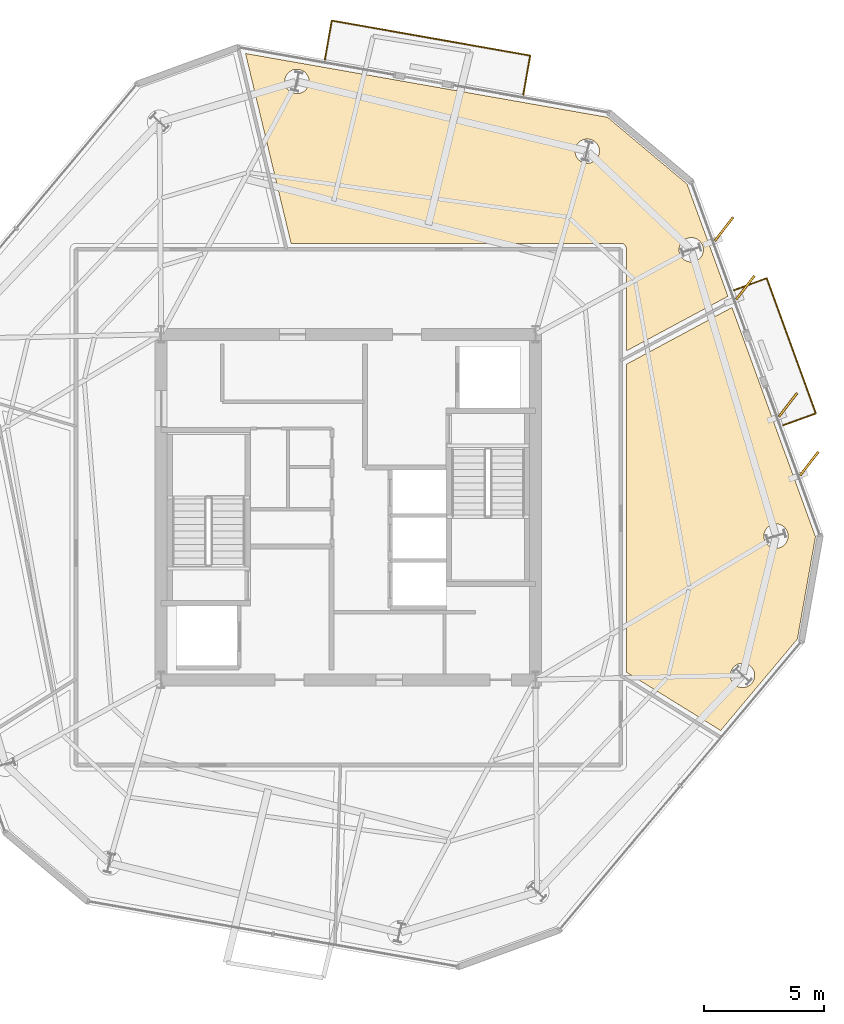
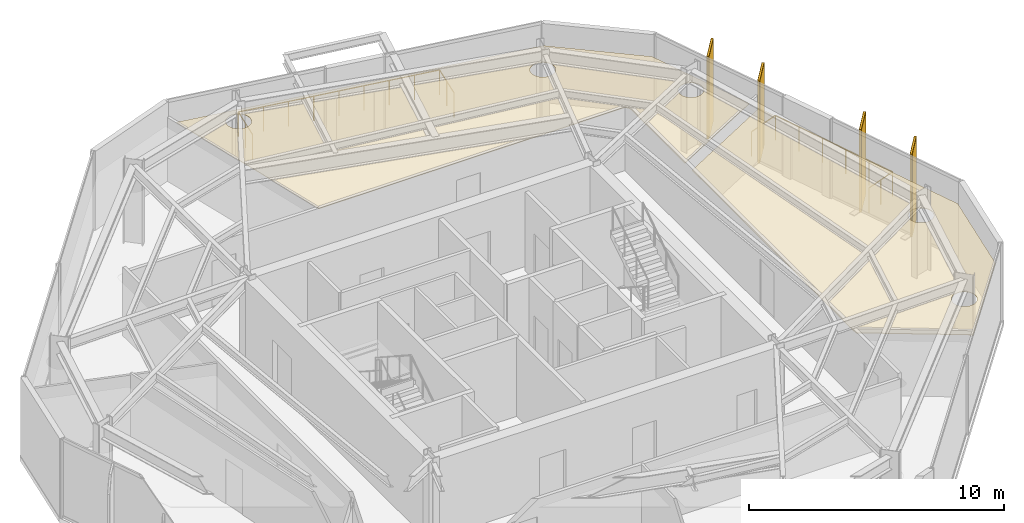
# One storey, part 11 of 11: 6 coverings, 4 shading devices, 2 railings.
"""IFC4 building model written with IfcOpenShell, lengths in metres."""

import ifcopenshell
import ifcopenshell.guid

model = None  # the IFC model being written
_history = None  # IfcOwnerHistory: only IFC2X3 demands one
_inside = {}  # id of a spatial element -> (the spatial element, [elements in it])
_under = {}  # id of a project, library or spatial element -> (it, [spatial elements below it])
_declared = {}  # id of a project -> (the project, [libraries it declares])
_typed = {}  # id of a type object -> (the type object, [elements of that type])
_made_of = {}  # id of a material, layer set ... -> (it, [elements and type objects made of it])


def new_model(schema):
    """Start an empty IFC model of exactly this schema.

    Asked for "IFC4X3", IfcOpenShell would pick the latest addendum, in which some entities
    have other attributes; the version numbers below select the first issue.
    IFC2X3 requires an IfcOwnerHistory on every rooted entity: one is made here for all.
    """
    global model, _history
    if schema == "IFC4X3":
        model = ifcopenshell.file(schema_version=(4, 3, 0, 0))
    else:
        model = ifcopenshell.file(schema=schema)
    _inside.clear()
    _under.clear()
    _declared.clear()
    _typed.clear()
    _made_of.clear()
    _history = None
    if model.schema == "IFC2X3":
        org = make("IfcOrganization", Name="unknown")
        user = make(
            "IfcPersonAndOrganization",
            ThePerson=make("IfcPerson", FamilyName="unknown"),
            TheOrganization=org,
        )
        app = make(
            "IfcApplication",
            ApplicationDeveloper=org,
            Version="unknown",
            ApplicationFullName="unknown",
            ApplicationIdentifier="unknown",
        )
        _history = make(
            "IfcOwnerHistory",
            OwningUser=user,
            OwningApplication=app,
            ChangeAction="ADDED",
            CreationDate=0,
        )
    return model


def make(cls, **values):
    """One entity of the class cls with the attributes given. An attribute that is None is left unset."""
    return model.create_entity(
        cls, **{name: value for name, value in values.items() if value is not None}
    )


def rooted(cls, **values):
    """An entity with a GlobalId (a new one), such as an element, a storey or a relation."""
    return make(cls, GlobalId=ifcopenshell.guid.new(), OwnerHistory=_history, **values)


def si_unit(unit_type, name, prefix=None):
    """IfcSIUnit, for example si_unit("LENGTHUNIT", "METRE", prefix="MILLI")."""
    return make("IfcSIUnit", UnitType=unit_type, Prefix=prefix, Name=name)


def assignment(units):
    """IfcUnitAssignment: the units of a project."""
    return None if units is None else make("IfcUnitAssignment", Units=units)


def point(xyz):
    """IfcCartesianPoint."""
    return None if xyz is None else make("IfcCartesianPoint", Coordinates=xyz)


def direction(xyz):
    """IfcDirection."""
    return None if xyz is None else make("IfcDirection", DirectionRatios=xyz)


def frame(location, z_axis=None, x_axis=None):
    """IfcAxis2Placement3D, a coordinate frame: its origin and axes. An axis left out is left unset."""
    return make(
        "IfcAxis2Placement3D",
        Location=point(location),
        Axis=direction(z_axis),
        RefDirection=direction(x_axis),
    )


def frame_2d(location, x_axis=None):
    """IfcAxis2Placement2D, a coordinate frame in the plane: its origin and x axis."""
    return make(
        "IfcAxis2Placement2D", Location=point(location), RefDirection=direction(x_axis)
    )


def origin():
    """The frame at (0, 0, 0) with its axes left unset."""
    return frame((0.0, 0.0, 0.0))


def origin_2d():
    """The frame at (0, 0) in the plane with its x axis left unset."""
    return frame_2d((0.0, 0.0))


def place(relative_to, where):
    """IfcLocalPlacement: puts the frame where relative to a parent placement (None: the world)."""
    return make(
        "IfcLocalPlacement", PlacementRelTo=relative_to, RelativePlacement=where
    )


def context(
    kind, dimensions, precision=None, world=None, true_north=None, identifier=None
):
    """IfcGeometricRepresentationContext, for example the 3D "Model" context."""
    return make(
        "IfcGeometricRepresentationContext",
        ContextIdentifier=identifier,
        ContextType=kind,
        CoordinateSpaceDimension=dimensions,
        Precision=precision,
        WorldCoordinateSystem=world,
        TrueNorth=true_north,
    )


def subcontext(parent, identifier, kind, view, scale=None):
    """IfcGeometricRepresentationSubContext, for example "Body" below "Model"."""
    return make(
        "IfcGeometricRepresentationSubContext",
        ContextIdentifier=identifier,
        ContextType=kind,
        ParentContext=parent,
        TargetScale=scale,
        TargetView=view,
    )


def project(units=None, contexts=None):
    """IfcProject with its units and contexts."""
    return rooted(
        "IfcProject",
        Name="project",
        RepresentationContexts=contexts,
        UnitsInContext=assignment(units),
    )


def spatial(cls, under=None, at=None, **own):
    """A site, building, storey or space (cls), placed at a placement, below another one or the project."""
    s = rooted(cls, ObjectPlacement=at, **own)
    if under is not None:
        _under.setdefault(under.id(), (under, []))[1].append(s)
    return s


def polyline(points):
    """IfcPolyline through the points."""
    return make("IfcPolyline", Points=[point(p) for p in points])


def profile(cls, at=None, kind="AREA", **sizes):
    """A parametric profile (cls). Its sizes go by their IFC names, for example OverallWidth=200.0."""
    return make(cls, ProfileType=kind, Position=at, **sizes)


def rectangle(**sizes):
    """IfcRectangleProfileDef."""
    return profile("IfcRectangleProfileDef", **sizes)


def circle(**sizes):
    """IfcCircleProfileDef."""
    return profile("IfcCircleProfileDef", **sizes)


def outline(outer, holes=None, kind="AREA"):
    """IfcArbitraryClosedProfileDef: a profile drawn as a closed curve; with holes, ...WithVoids."""
    if holes is None:
        return make("IfcArbitraryClosedProfileDef", ProfileType=kind, OuterCurve=outer)
    return make(
        "IfcArbitraryProfileDefWithVoids",
        ProfileType=kind,
        OuterCurve=outer,
        InnerCurves=holes,
    )


def extrude(swept, where, along, depth):
    """IfcExtrudedAreaSolid: the profile swept, set in the frame where, extruded along a direction by depth."""
    return make(
        "IfcExtrudedAreaSolid",
        SweptArea=swept,
        Position=where,
        ExtrudedDirection=direction(along),
        Depth=depth,
    )


def shape(context_of_items, identifier, shape_type, items):
    """IfcShapeRepresentation: the items that make up one representation, for example the "Body"."""
    return make(
        "IfcShapeRepresentation",
        ContextOfItems=context_of_items,
        RepresentationIdentifier=identifier,
        RepresentationType=shape_type,
        Items=items,
    )


def material(Name=None, Category=None):
    """IfcMaterial."""
    return make("IfcMaterial", Name=Name, Category=Category)


def layer(
    of_material, thickness, ventilated=None, Name=None, Category=None, Priority=None
):
    """IfcMaterialLayer: one layer of a wall or slab, of a material (None: an air gap)."""
    return make(
        "IfcMaterialLayer",
        Material=of_material,
        LayerThickness=thickness,
        IsVentilated=ventilated,
        Name=Name,
        Category=Category,
        Priority=Priority,
    )


def layer_set(layers, Name=None):
    """IfcMaterialLayerSet."""
    return make("IfcMaterialLayerSet", MaterialLayers=layers, LayerSetName=Name)


def made_of(thing, what):
    """Note that an element or type object is made of a material, layer set ...; save() writes the relation."""
    if what is not None:
        _made_of.setdefault(what.id(), (what, []))[1].append(thing)
    return thing


def type_object(cls, material=None, **own):
    """A type object (cls), such as IfcWallType, which elements share."""
    return made_of(rooted(cls, **own), material)


def element(
    cls,
    number,
    at=None,
    inside=None,
    cuts=None,
    type_object=None,
    material=None,
    context=None,
    identifier="Body",
    shape_type=None,
    held_by="IfcProductDefinitionShape",
    body=None,
    shapes=None,
    **own,
):
    """One element of the class cls, such as IfcWall. Its Tag is "e" and its number.

    at: its placement. inside: the storey or other place that contains it. cuts: it is an
    opening in that element (IfcRelVoidsElement). A single representation is given by context,
    identifier, shape_type and body (its items); several are given by shapes. held_by: the class
    of the entity that holds the representations. save() writes the other relations.
    """
    e = rooted(cls, Tag="e%d" % number, ObjectPlacement=at, **own)
    if body is not None:
        shapes = [shape(context, identifier, shape_type, body)]
    if shapes is not None:
        e.Representation = make(held_by, Representations=shapes)
    if inside is not None:
        _inside.setdefault(inside.id(), (inside, []))[1].append(e)
    if cuts is not None:
        rooted(
            "IfcRelVoidsElement", RelatingBuildingElement=cuts, RelatedOpeningElement=e
        )
    if type_object is not None:
        _typed.setdefault(type_object.id(), (type_object, []))[1].append(e)
    return made_of(e, material)


def aggregate(whole, parts):
    """IfcRelAggregates: a whole, such as a stair, and the parts it consists of."""
    return rooted("IfcRelAggregates", RelatingObject=whole, RelatedObjects=parts)


def save(model, path):
    """Write the relations noted so far, then the file.

    IfcRelAggregates (storeys below a building ...), IfcRelContainedInSpatialStructure (elements
    in a storey), IfcRelDefinesByType, IfcRelAssociatesMaterial and IfcRelDeclares: one each for
    every whole, place, type object, material and project.
    """
    for whole, parts in _under.values():
        aggregate(whole, parts)
    for where, things in _inside.values():
        rooted(
            "IfcRelContainedInSpatialStructure",
            RelatedElements=things,
            RelatingStructure=where,
        )
    for kind, things in _typed.values():
        rooted("IfcRelDefinesByType", RelatedObjects=things, RelatingType=kind)
    for what, things in _made_of.values():
        rooted("IfcRelAssociatesMaterial", RelatedObjects=things, RelatingMaterial=what)
    for by, libraries in _declared.values():
        rooted("IfcRelDeclares", RelatingContext=by, RelatedDefinitions=libraries)
    model.write(path)


model = new_model("IFC4")

# Units and contexts
model_context = context("Model", 3, precision=1e-05, world=origin(), true_north=direction((0.0, 1.0)))
body_context = subcontext(model_context, "Body", "Model", "MODEL_VIEW")
ifc_project = project(units=[si_unit("LENGTHUNIT", "METRE"), si_unit("AREAUNIT", "SQUARE_METRE"), si_unit("VOLUMEUNIT", "CUBIC_METRE"), si_unit("PLANEANGLEUNIT", "RADIAN"), si_unit("MASSUNIT", "GRAM", prefix="KILO")], contexts=[model_context])

# Site, building, storey
site_placement = place(None, origin())
site = spatial("IfcSite", under=ifc_project, at=site_placement, CompositionType="ELEMENT")
building_placement = place(site_placement, origin())
building = spatial("IfcBuilding", under=site, at=building_placement, Name="Kranzbogen Civic Tower", CompositionType="ELEMENT")
storey_placement = place(building_placement, frame((0.0, 0.0, 224.800048828125)))
storey = spatial("IfcBuildingStorey", under=building, at=storey_placement, Name="L54", CompositionType="ELEMENT", Elevation=224.800048828125)

# Coverings
ifc_material_1 = material(Name="Pale Anodised Aluminium", Category="aluminium")
ifc_layer_1 = layer(ifc_material_1, 0.02490234375, Name="Pale Anodised Aluminium")
ifc_layer_set_1 = layer_set([ifc_layer_1], Name="Pale Anodised Aluminium")
covering_type_1 = type_object("IfcCoveringType", Name="Anodised Aluminium Vertical Fin Cladding 25 mm", PredefinedType="CLADDING", material=ifc_layer_set_1)
for number, where, z_axis, x_axis, name in (
    (1, (44.217041015625, 26.81494140625, -0.14013671875), (0.0, 0.0, 1.0), (0.612644994633, 0.790358216602, 0.0), "L54 vertical fin pale-metal cladding F6-1"),
    (2, (43.327880859375, 29.258056640625, -0.14013671875), (0.0, 0.0, 1.0), (0.612644994633, 0.790358216602, 0.0), "L54 vertical fin pale-metal cladding F6-2"),
    (3, (41.549072265625, 34.14501953125, -0.14013671875), (0.0, 0.0, 1.0), (0.612644994633, 0.790358216602, 0.0), "L54 vertical fin pale-metal cladding F6-4"),
    (4, (40.659912109375, 36.587890625, -0.14013671875), (0.0, 0.0, 1.0), (0.612644994633, 0.790358216602, 0.0), "L54 vertical fin pale-metal cladding F6-5"),
):
    element("IfcCovering", number, at=place(storey_placement, frame(where, z_axis=z_axis, x_axis=x_axis)), inside=storey, type_object=covering_type_1, Name=name, PredefinedType="CLADDING", context=body_context, shape_type="SweptSolid", body=[
        extrude(rectangle(XDim=1.25, YDim=0.10009765625, at=origin_2d()), origin(), (0.0, 0.0, 1.0), 3.9599609375),
    ])

# Shading devices
ifc_material_2 = material(Name="Anodised Bronze Aluminium", Category="aluminium")
shading_device_type = type_object("IfcShadingDeviceType", Name="Anodised Bronze Vertical Facade Fin 1250x80", PredefinedType="USERDEFINED", material=ifc_material_2)
for number, where, z_axis, x_axis, name in (
    (5, (44.217041015625, 26.81494140625, -0.14013671875), (0.0, 0.0, 1.0), (0.612644994633, 0.790358216602, 0.0), "L54 vertical exterior shading fin F6-1"),
    (6, (43.327880859375, 29.258056640625, -0.14013671875), (0.0, 0.0, 1.0), (0.612644994633, 0.790358216602, 0.0), "L54 vertical exterior shading fin F6-2"),
    (7, (41.549072265625, 34.14501953125, -0.14013671875), (0.0, 0.0, 1.0), (0.612644994633, 0.790358216602, 0.0), "L54 vertical exterior shading fin F6-4"),
    (8, (40.659912109375, 36.587890625, -0.14013671875), (0.0, 0.0, 1.0), (0.612644994633, 0.790358216602, 0.0), "L54 vertical exterior shading fin F6-5"),
):
    element("IfcShadingDevice", number, at=place(storey_placement, frame(where, z_axis=z_axis, x_axis=x_axis)), inside=storey, type_object=shading_device_type, Name=name, ObjectType="FIN", PredefinedType="USERDEFINED", context=body_context, shape_type="SweptSolid", body=[
        extrude(rectangle(XDim=1.25, YDim=0.080078125, at=origin_2d()), origin(), (0.0, 0.0, 1.0), 3.9599609375),
    ])

# Railings
railing_type = type_object("IfcRailingType", Name="Cantilevered Balcony Glass and Bronze Balustrade 1200", PredefinedType="BALUSTRADE", material=ifc_material_2)
railing_1_placement = place(storey_placement, frame((43.1279296875, 28.406005859375, 0.0)))
element("IfcRailing", 9, at=railing_1_placement, inside=storey, type_object=railing_type, Name="L54 exterior terrace balustrade L54-TB2", PredefinedType="BALUSTRADE", context=body_context, shape_type="SweptSolid", body=[
    extrude(circle(Radius=0.02392578125, at=origin_2d()), frame((0.0, 0.0, 1.17578125), z_axis=(0.939695099279, 0.342013333644, 0.0), x_axis=(-0.342013333644, 0.939695099279, 0.0)), (0.0, 0.0, 1.0), 1.450439453125),
    extrude(circle(Radius=0.02392578125, at=origin_2d()), frame((1.363037109375, 0.49609375, 1.17578125), z_axis=(-0.342014228241, 0.939694773679, 0.0), x_axis=(-0.939694773679, -0.342014228241, 0.0)), (0.0, 0.0, 1.0), 5.999755859375),
    extrude(circle(Radius=0.02392578125, at=origin_2d()), frame((-0.68896484375, 6.134033203125, 1.17578125), z_axis=(-0.939695099279, -0.342013333644, 0.0), x_axis=(0.342013333644, -0.939695099279, 0.0)), (0.0, 0.0, 1.0), 1.450439453125),
    extrude(circle(Radius=0.02099609375, at=origin_2d()), origin(), (0.0, 0.0, 1.0), 1.15185546875),
    extrude(circle(Radius=0.02099609375, at=origin_2d()), frame((0.681640625, 0.248046875, 0.0)), (0.0, 0.0, 1.0), 1.15185546875),
    extrude(circle(Radius=0.02099609375, at=origin_2d()), frame((1.363037109375, 0.49609375, 0.0)), (0.0, 0.0, 1.0), 1.15185546875),
    extrude(circle(Radius=0.02099609375, at=origin_2d()), frame((0.95263671875, 1.623779296875, 0.0)), (0.0, 0.0, 1.0), 1.15185546875),
    extrude(circle(Radius=0.02099609375, at=origin_2d()), frame((0.542236328125, 2.751220703125, 0.0)), (0.0, 0.0, 1.0), 1.15185546875),
    extrude(circle(Radius=0.02099609375, at=origin_2d()), frame((0.1318359375, 3.87890625, 0.0)), (0.0, 0.0, 1.0), 1.15185546875),
    extrude(circle(Radius=0.02099609375, at=origin_2d()), frame((-0.278564453125, 5.00634765625, 0.0)), (0.0, 0.0, 1.0), 1.15185546875),
    extrude(circle(Radius=0.02099609375, at=origin_2d()), frame((-0.68896484375, 6.134033203125, 0.0)), (0.0, 0.0, 1.0), 1.15185546875),
    extrude(circle(Radius=0.02099609375, at=origin_2d()), frame((-1.37060546875, 5.885986328125, 0.0)), (0.0, 0.0, 1.0), 1.15185546875),
    extrude(circle(Radius=0.02099609375, at=origin_2d()), frame((-2.052001953125, 5.637939453125, 0.0)), (0.0, 0.0, 1.0), 1.15185546875),
])
railing_2_placement = place(storey_placement, frame((32.297119140625, 42.194091796875, 0.0)))
element("IfcRailing", 10, at=railing_2_placement, inside=storey, type_object=railing_type, Name="L54 exterior terrace balustrade L54-ST", PredefinedType="BALUSTRADE", context=body_context, shape_type="SweptSolid", body=[
    extrude(circle(Radius=0.02392578125, at=origin_2d()), frame((0.0, 0.0, 1.17578125), z_axis=(0.173844415377, 0.984773130849, 0.0), x_axis=(-0.984773130849, 0.173844415377, 0.0)), (0.0, 0.0, 1.0), 1.650146484375),
    extrude(circle(Radius=0.02392578125, at=origin_2d()), frame((0.286865234375, 1.625, 1.17578125), z_axis=(-0.984802862545, 0.173675910599, 0.0), x_axis=(-0.173675910599, -0.984802862545, 0.0)), (0.0, 0.0, 1.0), 8.400634765625),
    extrude(circle(Radius=0.02392578125, at=origin_2d()), frame((-7.986083984375, 3.083984375, 1.17578125), z_axis=(-0.173987891125, -0.984747791946, 0.0), x_axis=(0.984747791946, -0.173987891125, 0.0)), (0.0, 0.0, 1.0), 1.650146484375),
    extrude(circle(Radius=0.02099609375, at=origin_2d()), origin(), (0.0, 0.0, 1.0), 1.15185546875),
    extrude(circle(Radius=0.02099609375, at=origin_2d()), frame((0.1435546875, 0.8125, 0.0)), (0.0, 0.0, 1.0), 1.15185546875),
    extrude(circle(Radius=0.02099609375, at=origin_2d()), frame((0.286865234375, 1.625, 0.0)), (0.0, 0.0, 1.0), 1.15185546875),
    extrude(circle(Radius=0.02099609375, at=origin_2d()), frame((-0.747314453125, 1.807373046875, 0.0)), (0.0, 0.0, 1.0), 1.15185546875),
    extrude(circle(Radius=0.02099609375, at=origin_2d()), frame((-1.78125, 1.98974609375, 0.0)), (0.0, 0.0, 1.0), 1.15185546875),
    extrude(circle(Radius=0.02099609375, at=origin_2d()), frame((-2.8154296875, 2.172119140625, 0.0)), (0.0, 0.0, 1.0), 1.15185546875),
    extrude(circle(Radius=0.02099609375, at=origin_2d()), frame((-3.849609375, 2.3544921875, 0.0)), (0.0, 0.0, 1.0), 1.15185546875),
    extrude(circle(Radius=0.02099609375, at=origin_2d()), frame((-4.8837890625, 2.536865234375, 0.0)), (0.0, 0.0, 1.0), 1.15185546875),
    extrude(circle(Radius=0.02099609375, at=origin_2d()), frame((-5.91796875, 2.71923828125, 0.0)), (0.0, 0.0, 1.0), 1.15185546875),
    extrude(circle(Radius=0.02099609375, at=origin_2d()), frame((-6.951904296875, 2.901611328125, 0.0)), (0.0, 0.0, 1.0), 1.15185546875),
    extrude(circle(Radius=0.02099609375, at=origin_2d()), frame((-7.986083984375, 3.083984375, 0.0)), (0.0, 0.0, 1.0), 1.15185546875),
    extrude(circle(Radius=0.02099609375, at=origin_2d()), frame((-8.129638671875, 2.271484375, 0.0)), (0.0, 0.0, 1.0), 1.15185546875),
    extrude(circle(Radius=0.02099609375, at=origin_2d()), frame((-8.273193359375, 1.458984375, 0.0)), (0.0, 0.0, 1.0), 1.15185546875),
])

# Coverings
ifc_material_3 = material(Name="Perforated Acoustic Gypsum Ceiling")
ifc_layer_2 = layer(ifc_material_3, 0.02490234375, Name="Perforated Acoustic Gypsum Ceiling")
ifc_layer_set_2 = layer_set([ifc_layer_2], Name="Perforated Acoustic Gypsum Ceiling")
covering_type_2 = type_object("IfcCoveringType", Name="Perforated Acoustic Mineral Ceiling Tile 25 mm", PredefinedType="CEILING", material=ifc_layer_set_2)
covering_1_placement = place(storey_placement, frame((0.0, 0.0, 2.75)))
element("IfcCovering", 11, at=covering_1_placement, inside=storey, type_object=covering_type_2, Name="L54 Visitor Concierge Foyer acoustic ceiling", PredefinedType="CEILING", context=body_context, shape_type="SweptSolid", body=[
    extrude(outline(polyline([(43.720947265625, 19.501953125), (40.52001953125, 15.68701171875), (36.594970703125, 18.114990234375), (36.594970703125, 30.9541015625), (40.993896484375, 33.319091796875), (44.472900390625, 23.762939453125), (43.720947265625, 19.501953125)]), holes=[polyline([(41.902099609375, 17.7900390625), (41.8798828125, 17.7451171875), (41.85498046875, 17.701904296875), (41.824951171875, 17.662109375), (41.7919921875, 17.625), (41.7548828125, 17.592041015625), (41.715087890625, 17.56201171875), (41.672119140625, 17.537109375), (41.626953125, 17.514892578125), (41.580078125, 17.4990234375), (41.531982421875, 17.487060546875), (41.48291015625, 17.47900390625), (41.43310546875, 17.47705078125), (41.383056640625, 17.47900390625), (41.333984375, 17.487060546875), (41.285888671875, 17.4990234375), (41.239013671875, 17.514892578125), (41.194091796875, 17.537109375), (41.15087890625, 17.56201171875), (41.111083984375, 17.592041015625), (41.073974609375, 17.625), (41.041015625, 17.662109375), (41.010986328125, 17.701904296875), (40.986083984375, 17.7451171875), (40.964111328125, 17.7900390625), (40.947998046875, 17.8369140625), (40.93603515625, 17.885009765625), (40.927978515625, 17.93408203125), (40.926025390625, 17.98388671875), (40.927978515625, 18.033935546875), (40.93603515625, 18.0830078125), (40.947998046875, 18.131103515625), (40.964111328125, 18.177978515625), (40.986083984375, 18.222900390625), (41.010986328125, 18.26611328125), (41.041015625, 18.305908203125), (41.073974609375, 18.343017578125), (41.111083984375, 18.3759765625), (41.15087890625, 18.406005859375), (41.194091796875, 18.430908203125), (41.239013671875, 18.452880859375), (41.285888671875, 18.468994140625), (41.333984375, 18.48095703125), (41.383056640625, 18.489013671875), (41.43310546875, 18.490966796875), (41.48291015625, 18.489013671875), (41.531982421875, 18.48095703125), (41.580078125, 18.468994140625), (41.626953125, 18.452880859375), (41.672119140625, 18.430908203125), (41.715087890625, 18.406005859375), (41.7548828125, 18.3759765625), (41.7919921875, 18.343017578125), (41.824951171875, 18.305908203125), (41.85498046875, 18.26611328125), (41.8798828125, 18.222900390625), (41.902099609375, 18.177978515625), (41.91796875, 18.131103515625), (41.929931640625, 18.0830078125), (41.93798828125, 18.033935546875), (41.93994140625, 17.98388671875), (41.93798828125, 17.93408203125), (41.929931640625, 17.885009765625), (41.91796875, 17.8369140625), (41.902099609375, 17.7900390625)]), polyline([(43.297119140625, 23.596923828125), (43.27490234375, 23.552001953125), (43.25, 23.509033203125), (43.219970703125, 23.468994140625), (43.18701171875, 23.431884765625), (43.14990234375, 23.39892578125), (43.110107421875, 23.368896484375), (43.06689453125, 23.343994140625), (43.02197265625, 23.322021484375), (42.97509765625, 23.305908203125), (42.927001953125, 23.2939453125), (42.8779296875, 23.285888671875), (42.827880859375, 23.283935546875), (42.778076171875, 23.285888671875), (42.72900390625, 23.2939453125), (42.680908203125, 23.305908203125), (42.634033203125, 23.322021484375), (42.589111328125, 23.343994140625), (42.5458984375, 23.368896484375), (42.506103515625, 23.39892578125), (42.468994140625, 23.431884765625), (42.43603515625, 23.468994140625), (42.406005859375, 23.509033203125), (42.381103515625, 23.552001953125), (42.35888671875, 23.596923828125), (42.343017578125, 23.64404296875), (42.3310546875, 23.69189453125), (42.322998046875, 23.740966796875), (42.321044921875, 23.791015625), (42.322998046875, 23.841064453125), (42.3310546875, 23.889892578125), (42.343017578125, 23.93798828125), (42.35888671875, 23.985107421875), (42.381103515625, 24.030029296875), (42.406005859375, 24.072998046875), (42.43603515625, 24.113037109375), (42.468994140625, 24.14990234375), (42.506103515625, 24.18310546875), (42.5458984375, 24.212890625), (42.589111328125, 24.238037109375), (42.634033203125, 24.260009765625), (42.680908203125, 24.27587890625), (42.72900390625, 24.2880859375), (42.778076171875, 24.2958984375), (42.827880859375, 24.298095703125), (42.8779296875, 24.2958984375), (42.927001953125, 24.2880859375), (42.97509765625, 24.27587890625), (43.02197265625, 24.260009765625), (43.06689453125, 24.238037109375), (43.110107421875, 24.212890625), (43.14990234375, 24.18310546875), (43.18701171875, 24.14990234375), (43.219970703125, 24.113037109375), (43.25, 24.072998046875), (43.27490234375, 24.030029296875), (43.297119140625, 23.985107421875), (43.31298828125, 23.93798828125), (43.324951171875, 23.889892578125), (43.3330078125, 23.841064453125), (43.3349609375, 23.791015625), (43.3330078125, 23.740966796875), (43.324951171875, 23.69189453125), (43.31298828125, 23.64404296875), (43.297119140625, 23.596923828125)])]), origin(), (0.0, 0.0, 1.0), 0.02490234375),
])
covering_2_placement = place(storey_placement, frame((0.0, 0.0, 2.75)))
element("IfcCovering", 12, at=covering_2_placement, inside=storey, type_object=covering_type_2, Name="L54 Protocol Entrance Reception acoustic ceiling", PredefinedType="CEILING", context=body_context, shape_type="SweptSolid", body=[
    extrude(outline(polyline([(36.594970703125, 31.510986328125), (36.594970703125, 35.75), (36.594970703125, 35.759033203125), (36.593994140625, 35.764892578125), (36.593017578125, 35.782958984375), (36.592041015625, 35.7890625), (36.587890625, 35.805908203125), (36.5869140625, 35.81298828125), (36.58203125, 35.830078125), (36.580078125, 35.8359375), (36.572998046875, 35.85205078125), (36.570068359375, 35.85791015625), (36.56201171875, 35.873046875), (36.55810546875, 35.87890625), (36.549072265625, 35.89306640625), (36.544921875, 35.89794921875), (36.533935546875, 35.912109375), (36.529052734375, 35.9169921875), (36.51708984375, 35.928955078125), (36.511962890625, 35.93408203125), (36.498046875, 35.945068359375), (36.492919921875, 35.948974609375), (36.47900390625, 35.9580078125), (36.472900390625, 35.9619140625), (36.4580078125, 35.969970703125), (36.451904296875, 35.972900390625), (36.43603515625, 35.97998046875), (36.429931640625, 35.98193359375), (36.4130859375, 35.987060546875), (36.406005859375, 35.988037109375), (36.388916015625, 35.991943359375), (36.383056640625, 35.992919921875), (36.364990234375, 35.993896484375), (36.35888671875, 35.9951171875), (36.35009765625, 35.9951171875), (22.614013671875, 35.9951171875), (20.717041015625, 43.906005859375), (35.80810546875, 41.2451171875), (39.12109375, 38.464111328125), (40.824951171875, 33.783935546875), (36.594970703125, 31.510986328125)]), holes=[polyline([(23.3291015625, 42.5458984375), (23.306884765625, 42.5009765625), (23.281982421875, 42.4580078125), (23.251953125, 42.41796875), (23.218994140625, 42.381103515625), (23.181884765625, 42.347900390625), (23.14208984375, 42.318115234375), (23.09912109375, 42.29296875), (23.053955078125, 42.27099609375), (23.007080078125, 42.2548828125), (22.958984375, 42.242919921875), (22.909912109375, 42.235107421875), (22.860107421875, 42.23291015625), (22.81005859375, 42.235107421875), (22.760986328125, 42.242919921875), (22.712890625, 42.2548828125), (22.666015625, 42.27099609375), (22.62109375, 42.29296875), (22.577880859375, 42.318115234375), (22.5380859375, 42.347900390625), (22.5009765625, 42.381103515625), (22.468017578125, 42.41796875), (22.43798828125, 42.4580078125), (22.4130859375, 42.5009765625), (22.39111328125, 42.5458984375), (22.375, 42.593017578125), (22.363037109375, 42.64111328125), (22.35498046875, 42.68994140625), (22.35302734375, 42.739990234375), (22.35498046875, 42.7900390625), (22.363037109375, 42.839111328125), (22.375, 42.886962890625), (22.39111328125, 42.93408203125), (22.4130859375, 42.97900390625), (22.43798828125, 43.02197265625), (22.468017578125, 43.06201171875), (22.5009765625, 43.09912109375), (22.5380859375, 43.132080078125), (22.577880859375, 43.162109375), (22.62109375, 43.18701171875), (22.666015625, 43.208984375), (22.712890625, 43.22509765625), (22.760986328125, 43.237060546875), (22.81005859375, 43.2451171875), (22.860107421875, 43.2470703125), (22.909912109375, 43.2451171875), (22.958984375, 43.237060546875), (23.007080078125, 43.22509765625), (23.053955078125, 43.208984375), (23.09912109375, 43.18701171875), (23.14208984375, 43.162109375), (23.181884765625, 43.132080078125), (23.218994140625, 43.09912109375), (23.251953125, 43.06201171875), (23.281982421875, 43.02197265625), (23.306884765625, 42.97900390625), (23.3291015625, 42.93408203125), (23.344970703125, 42.886962890625), (23.35693359375, 42.839111328125), (23.364990234375, 42.7900390625), (23.366943359375, 42.739990234375), (23.364990234375, 42.68994140625), (23.35693359375, 42.64111328125), (23.344970703125, 42.593017578125), (23.3291015625, 42.5458984375)]), polyline([(39.761962890625, 35.530029296875), (39.739990234375, 35.485107421875), (39.715087890625, 35.44189453125), (39.68505859375, 35.402099609375), (39.652099609375, 35.364990234375), (39.614990234375, 35.33203125), (39.574951171875, 35.302001953125), (39.531982421875, 35.277099609375), (39.487060546875, 35.2548828125), (39.43994140625, 35.239013671875), (39.39208984375, 35.22705078125), (39.343017578125, 35.218994140625), (39.29296875, 35.217041015625), (39.242919921875, 35.218994140625), (39.194091796875, 35.22705078125), (39.14599609375, 35.239013671875), (39.09912109375, 35.2548828125), (39.053955078125, 35.277099609375), (39.010986328125, 35.302001953125), (38.970947265625, 35.33203125), (38.93408203125, 35.364990234375), (38.90087890625, 35.402099609375), (38.87109375, 35.44189453125), (38.845947265625, 35.485107421875), (38.823974609375, 35.530029296875), (38.80810546875, 35.576904296875), (38.7958984375, 35.625), (38.7880859375, 35.674072265625), (38.785888671875, 35.72412109375), (38.7880859375, 35.77392578125), (38.7958984375, 35.822998046875), (38.80810546875, 35.87109375), (38.823974609375, 35.91796875), (38.845947265625, 35.962890625), (38.87109375, 36.006103515625), (38.90087890625, 36.0458984375), (38.93408203125, 36.0830078125), (38.970947265625, 36.115966796875), (39.010986328125, 36.14599609375), (39.053955078125, 36.1708984375), (39.09912109375, 36.193115234375), (39.14599609375, 36.208984375), (39.194091796875, 36.220947265625), (39.242919921875, 36.22900390625), (39.29296875, 36.23095703125), (39.343017578125, 36.22900390625), (39.39208984375, 36.220947265625), (39.43994140625, 36.208984375), (39.487060546875, 36.193115234375), (39.531982421875, 36.1708984375), (39.574951171875, 36.14599609375), (39.614990234375, 36.115966796875), (39.652099609375, 36.0830078125), (39.68505859375, 36.0458984375), (39.715087890625, 36.006103515625), (39.739990234375, 35.962890625), (39.761962890625, 35.91796875), (39.778076171875, 35.87109375), (39.7900390625, 35.822998046875), (39.798095703125, 35.77392578125), (39.800048828125, 35.72412109375), (39.798095703125, 35.674072265625), (39.7900390625, 35.625), (39.778076171875, 35.576904296875), (39.761962890625, 35.530029296875)]), polyline([(35.429931640625, 39.64111328125), (35.407958984375, 39.595947265625), (35.383056640625, 39.552978515625), (35.35302734375, 39.512939453125), (35.320068359375, 39.47607421875), (35.282958984375, 39.443115234375), (35.242919921875, 39.4130859375), (35.199951171875, 39.387939453125), (35.155029296875, 39.365966796875), (35.10791015625, 39.35009765625), (35.06005859375, 39.337890625), (35.010986328125, 39.330078125), (34.9609375, 39.327880859375), (34.910888671875, 39.330078125), (34.862060546875, 39.337890625), (34.81396484375, 39.35009765625), (34.76708984375, 39.365966796875), (34.721923828125, 39.387939453125), (34.678955078125, 39.4130859375), (34.638916015625, 39.443115234375), (34.60205078125, 39.47607421875), (34.569091796875, 39.512939453125), (34.5390625, 39.552978515625), (34.513916015625, 39.595947265625), (34.491943359375, 39.64111328125), (34.47607421875, 39.68798828125), (34.464111328125, 39.736083984375), (34.4560546875, 39.784912109375), (34.4541015625, 39.8349609375), (34.4560546875, 39.885009765625), (34.464111328125, 39.93408203125), (34.47607421875, 39.98193359375), (34.491943359375, 40.029052734375), (34.513916015625, 40.073974609375), (34.5390625, 40.116943359375), (34.569091796875, 40.156982421875), (34.60205078125, 40.194091796875), (34.638916015625, 40.22705078125), (34.678955078125, 40.257080078125), (34.721923828125, 40.281982421875), (34.76708984375, 40.303955078125), (34.81396484375, 40.320068359375), (34.862060546875, 40.33203125), (34.910888671875, 40.340087890625), (34.9609375, 40.342041015625), (35.010986328125, 40.340087890625), (35.06005859375, 40.33203125), (35.10791015625, 40.320068359375), (35.155029296875, 40.303955078125), (35.199951171875, 40.281982421875), (35.242919921875, 40.257080078125), (35.282958984375, 40.22705078125), (35.320068359375, 40.194091796875), (35.35302734375, 40.156982421875), (35.383056640625, 40.116943359375), (35.407958984375, 40.073974609375), (35.429931640625, 40.029052734375), (35.446044921875, 39.98193359375), (35.4580078125, 39.93408203125), (35.466064453125, 39.885009765625), (35.468017578125, 39.8349609375), (35.466064453125, 39.784912109375), (35.4580078125, 39.736083984375), (35.446044921875, 39.68798828125), (35.429931640625, 39.64111328125)])]), origin(), (0.0, 0.0, 1.0), 0.02490234375),
])

save(model, "model.ifc")
